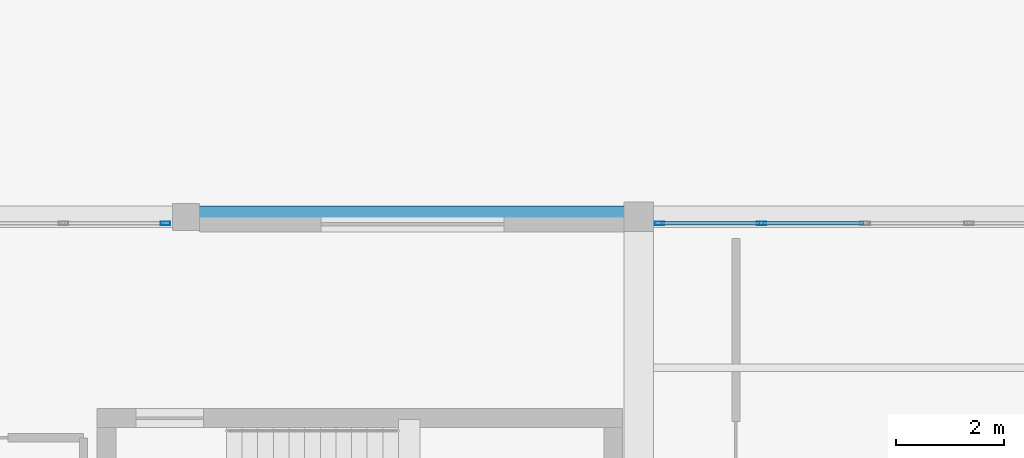
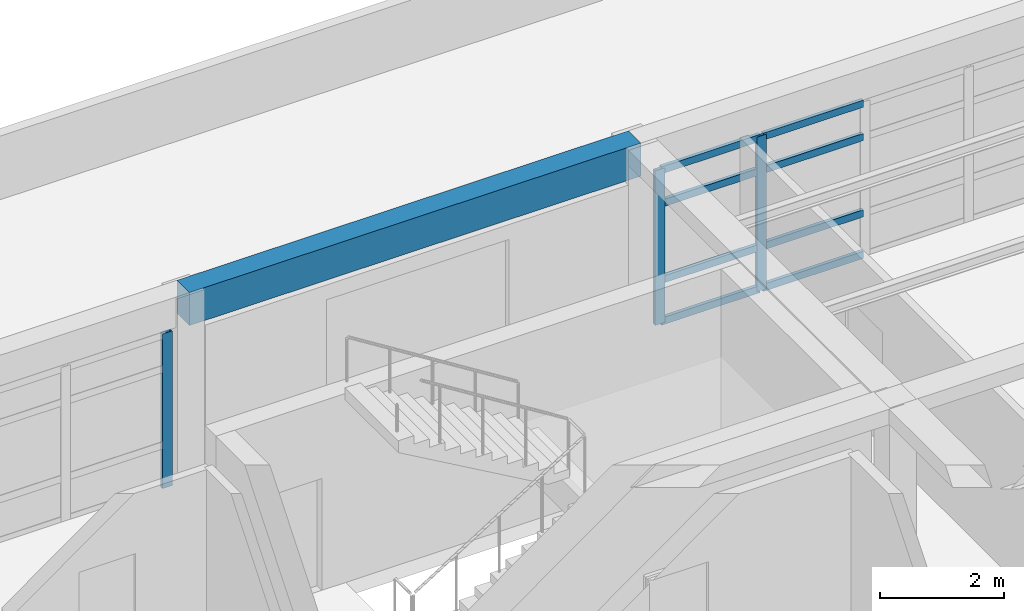
# One storey, part 13 of 22: 11 members, 1 beam, 2 elements without a shape of their own.
"""IFC4 building model written with IfcOpenShell, lengths in metres."""

from ifc_helpers import new_model, si_unit, direction, frame, origin, origin_2d, place, context, subcontext, project, spatial, rectangle, hollow_rectangle, extrude, material, material_profile, profile_set, type_object, element, aggregate, save


model = new_model("IFC4")

# Units and contexts
model_context = context("Model", 3, precision=1e-05, world=origin(), true_north=direction((0.0, 1.0)))
body_context = subcontext(model_context, "Body", "Model", "MODEL_VIEW")
ifc_project = project(units=[si_unit("LENGTHUNIT", "METRE"), si_unit("AREAUNIT", "SQUARE_METRE"), si_unit("VOLUMEUNIT", "CUBIC_METRE"), si_unit("PLANEANGLEUNIT", "RADIAN"), si_unit("MASSUNIT", "GRAM", prefix="KILO")], contexts=[model_context])

# Site, building, storey
site_placement = place(None, origin())
site = spatial("IfcSite", under=ifc_project, at=site_placement, CompositionType="ELEMENT")
building_placement = place(site_placement, origin())
building = spatial("IfcBuilding", under=site, at=building_placement, Name="Almacenes y Pasaje Nevantli", CompositionType="ELEMENT")
storey_placement = place(building_placement, frame((0.0, 0.0, 58.699951171875)))
storey = spatial("IfcBuildingStorey", under=building, at=storey_placement, Name="L14", CompositionType="ELEMENT", Elevation=58.699951171875)

# Beam
ifc_material_1 = material(Name="Concrete C35/45", Category="concrete")
ifc_material_profile_1 = material_profile(ifc_material_1, rectangle(XDim=0.39990234375, YDim=0.64990234375, at=origin_2d()), Name="RC-BM-400x650")
ifc_profile_set_1 = profile_set([ifc_material_profile_1], Name="Concrete C35/45")
beam_type = type_object("IfcBeamType", Name="BM-RC-400x650", PredefinedType="SPANDREL", material=ifc_profile_set_1)
beam_placement = place(storey_placement, frame((134.39990234375, 92.39990234375, 3.39501953125), z_axis=(1.0, 0.0, 0.0), x_axis=(0.0, 1.0, 0.0)))
element("IfcBeam", 1, at=beam_placement, inside=storey, type_object=beam_type, Name="L14 East-West Reinforced Concrete Beam #3999", PredefinedType="SPANDREL", context=body_context, shape_type="SweptSolid", body=[
    extrude(rectangle(XDim=0.39990234375, YDim=0.64990234375, at=origin_2d()), origin(), (0.0, 0.0, 1.0), 8.400146484375),
])

# Curtain wall, member
ifc_material_2 = material(Name="Thermally Broken Aluminium and Low-E Glass", Category="aluminium")
curtain_wall_type = type_object("IfcCurtainWallType", Name="CW-UNIT-TOWER", PredefinedType="USERDEFINED", material=ifc_material_2)
curtain_wall_1_placement = place(storey_placement, origin())
curtain_wall_1 = element("IfcCurtainWall", 2, at=curtain_wall_1_placement, inside=storey, type_object=curtain_wall_type, Name="L14 Tower North Boulevard Unitized Curtain Wall Bay 16", ObjectType="UNITIZED CURTAIN WALL", PredefinedType="USERDEFINED")
ifc_material_3 = material(Name="Thermally Broken Anodized Aluminium", Category="aluminium")
ifc_material_profile_2 = material_profile(ifc_material_3, hollow_rectangle(XDim=0.06494140625, YDim=0.179931640625, WallThickness=0.00390625, at=origin_2d()), Name="ALU-MUL-65x180")
ifc_profile_set_2 = profile_set([ifc_material_profile_2], Name="Thermally Broken Anodized Aluminium")
member_type_1 = type_object("IfcMemberType", Name="CW-MUL-200", PredefinedType="MULLION", material=ifc_profile_set_2)
member_1_placement = place(storey_placement, frame((134.017578125, 92.280029296875, 0.0), z_axis=(0.0, 0.0, 1.0), x_axis=(0.0, 1.0, 0.0)))
member_1 = element("IfcMember", 3, at=member_1_placement, type_object=member_type_1, Name="CW-L14-178 mullion 5", PredefinedType="MULLION", context=body_context, shape_type="SweptSolid", body=[
    extrude(hollow_rectangle(XDim=0.06494140625, YDim=0.179931640625, WallThickness=0.00390625, at=origin_2d()), origin(), (0.0, 0.0, 1.0), 3.0400390625),
])
aggregate(curtain_wall_1, [member_1])

# Curtain wall, members
curtain_wall_2_placement = place(storey_placement, origin())
curtain_wall_2 = element("IfcCurtainWall", 4, at=curtain_wall_2_placement, inside=storey, type_object=curtain_wall_type, Name="L14 Tower North Boulevard Unitized Curtain Wall Bay 18", ObjectType="UNITIZED CURTAIN WALL", PredefinedType="USERDEFINED")
member_2_placement = place(storey_placement, frame((143.1826171875, 92.280029296875, 0.0), z_axis=(0.0, 0.0, 1.0), x_axis=(0.0, 1.0, 0.0)))
member_2 = element("IfcMember", 5, at=member_2_placement, type_object=member_type_1, Name="CW-L14-180 mullion 1", PredefinedType="MULLION", context=body_context, shape_type="SweptSolid", body=[
    extrude(hollow_rectangle(XDim=0.06494140625, YDim=0.179931640625, WallThickness=0.00390625, at=origin_2d()), origin(), (0.0, 0.0, 1.0), 3.0400390625),
])
member_3_placement = place(storey_placement, frame((145.074951171875, 92.280029296875, 0.0), z_axis=(0.0, 0.0, 1.0), x_axis=(0.0, 1.0, 0.0)))
member_3 = element("IfcMember", 6, at=member_3_placement, type_object=member_type_1, Name="CW-L14-180 mullion 2", PredefinedType="MULLION", context=body_context, shape_type="SweptSolid", body=[
    extrude(hollow_rectangle(XDim=0.06494140625, YDim=0.179931640625, WallThickness=0.00390625, at=origin_2d()), origin(), (0.0, 0.0, 1.0), 3.0400390625),
])
ifc_material_4 = material(Name="Thermally Broken Anodized Aluminium", Category="aluminium")
ifc_material_profile_3 = material_profile(ifc_material_4, hollow_rectangle(XDim=0.06494140625, YDim=0.139892578125, WallThickness=0.00390625, at=origin_2d()), Name="ALU-TRN-65x140")
ifc_profile_set_3 = profile_set([ifc_material_profile_3], Name="Thermally Broken Anodized Aluminium")
member_type_2 = type_object("IfcMemberType", Name="CW-TRN-150", PredefinedType="USERDEFINED", material=ifc_profile_set_3)
member_4_placement = place(storey_placement, frame((143.215087890625, 92.280029296875, 0.032470703125), z_axis=(1.0, 0.0, 0.0), x_axis=(0.0, 1.0, 0.0)))
member_4 = element("IfcMember", 7, at=member_4_placement, type_object=member_type_2, Name="CW-L14-180 transom 1.1", ObjectType="TRANSOM", PredefinedType="USERDEFINED", context=body_context, shape_type="SweptSolid", body=[
    extrude(hollow_rectangle(XDim=0.06494140625, YDim=0.139892578125, WallThickness=0.00390625, at=origin_2d()), origin(), (0.0, 0.0, 1.0), 1.827392578125),
])
member_5_placement = place(storey_placement, frame((143.215087890625, 92.280029296875, 0.85009765625), z_axis=(1.0, 0.0, 0.0), x_axis=(0.0, 1.0, 0.0)))
member_5 = element("IfcMember", 8, at=member_5_placement, type_object=member_type_2, Name="CW-L14-180 transom 1.2", ObjectType="TRANSOM", PredefinedType="USERDEFINED", context=body_context, shape_type="SweptSolid", body=[
    extrude(hollow_rectangle(XDim=0.06494140625, YDim=0.139892578125, WallThickness=0.00390625, at=origin_2d()), origin(), (0.0, 0.0, 1.0), 1.827392578125),
])
member_6_placement = place(storey_placement, frame((143.215087890625, 92.280029296875, 2.35009765625), z_axis=(1.0, 0.0, 0.0), x_axis=(0.0, 1.0, 0.0)))
member_6 = element("IfcMember", 9, at=member_6_placement, type_object=member_type_2, Name="CW-L14-180 transom 1.3", ObjectType="TRANSOM", PredefinedType="USERDEFINED", context=body_context, shape_type="SweptSolid", body=[
    extrude(hollow_rectangle(XDim=0.06494140625, YDim=0.139892578125, WallThickness=0.00390625, at=origin_2d()), origin(), (0.0, 0.0, 1.0), 1.827392578125),
])
member_7_placement = place(storey_placement, frame((143.215087890625, 92.280029296875, 3.007568359375), z_axis=(1.0, 0.0, 0.0), x_axis=(0.0, 1.0, 0.0)))
member_7 = element("IfcMember", 10, at=member_7_placement, type_object=member_type_2, Name="CW-L14-180 transom 1.4", ObjectType="TRANSOM", PredefinedType="USERDEFINED", context=body_context, shape_type="SweptSolid", body=[
    extrude(hollow_rectangle(XDim=0.06494140625, YDim=0.139892578125, WallThickness=0.00390625, at=origin_2d()), origin(), (0.0, 0.0, 1.0), 1.827392578125),
])
member_8_placement = place(storey_placement, frame((145.107421875, 92.280029296875, 0.032470703125), z_axis=(1.0, 0.0, 0.0), x_axis=(0.0, 1.0, 0.0)))
member_8 = element("IfcMember", 11, at=member_8_placement, type_object=member_type_2, Name="CW-L14-180 transom 2.1", ObjectType="TRANSOM", PredefinedType="USERDEFINED", context=body_context, shape_type="SweptSolid", body=[
    extrude(hollow_rectangle(XDim=0.06494140625, YDim=0.139892578125, WallThickness=0.00390625, at=origin_2d()), origin(), (0.0, 0.0, 1.0), 1.860107421875),
])
member_9_placement = place(storey_placement, frame((145.107421875, 92.280029296875, 0.85009765625), z_axis=(1.0, 0.0, 0.0), x_axis=(0.0, 1.0, 0.0)))
member_9 = element("IfcMember", 12, at=member_9_placement, type_object=member_type_2, Name="CW-L14-180 transom 2.2", ObjectType="TRANSOM", PredefinedType="USERDEFINED", context=body_context, shape_type="SweptSolid", body=[
    extrude(hollow_rectangle(XDim=0.06494140625, YDim=0.139892578125, WallThickness=0.00390625, at=origin_2d()), origin(), (0.0, 0.0, 1.0), 1.860107421875),
])
member_10_placement = place(storey_placement, frame((145.107421875, 92.280029296875, 2.35009765625), z_axis=(1.0, 0.0, 0.0), x_axis=(0.0, 1.0, 0.0)))
member_10 = element("IfcMember", 13, at=member_10_placement, type_object=member_type_2, Name="CW-L14-180 transom 2.3", ObjectType="TRANSOM", PredefinedType="USERDEFINED", context=body_context, shape_type="SweptSolid", body=[
    extrude(hollow_rectangle(XDim=0.06494140625, YDim=0.139892578125, WallThickness=0.00390625, at=origin_2d()), origin(), (0.0, 0.0, 1.0), 1.860107421875),
])
member_11_placement = place(storey_placement, frame((145.107421875, 92.280029296875, 3.007568359375), z_axis=(1.0, 0.0, 0.0), x_axis=(0.0, 1.0, 0.0)))
member_11 = element("IfcMember", 14, at=member_11_placement, type_object=member_type_2, Name="CW-L14-180 transom 2.4", ObjectType="TRANSOM", PredefinedType="USERDEFINED", context=body_context, shape_type="SweptSolid", body=[
    extrude(hollow_rectangle(XDim=0.06494140625, YDim=0.139892578125, WallThickness=0.00390625, at=origin_2d()), origin(), (0.0, 0.0, 1.0), 1.860107421875),
])
aggregate(curtain_wall_2, [member_2, member_3, member_4, member_5, member_6, member_7, member_8, member_9, member_10, member_11])

save(model, "model.ifc")
